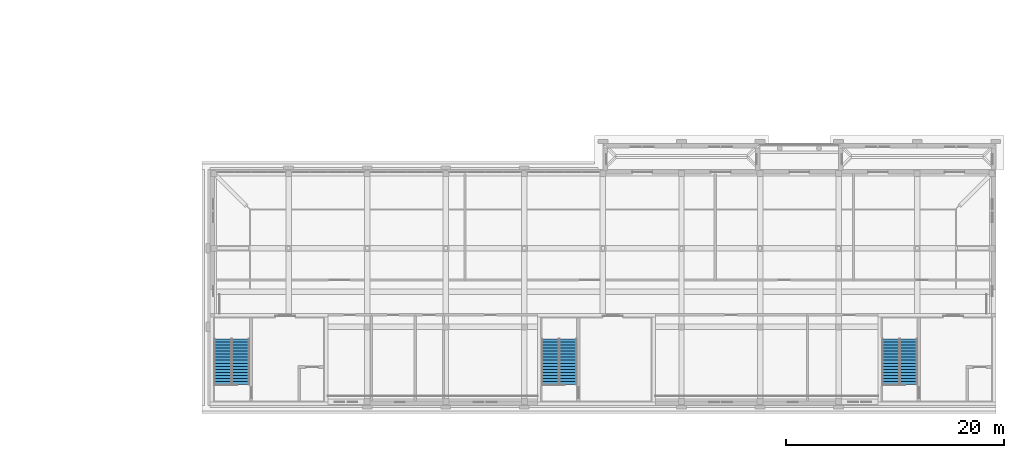
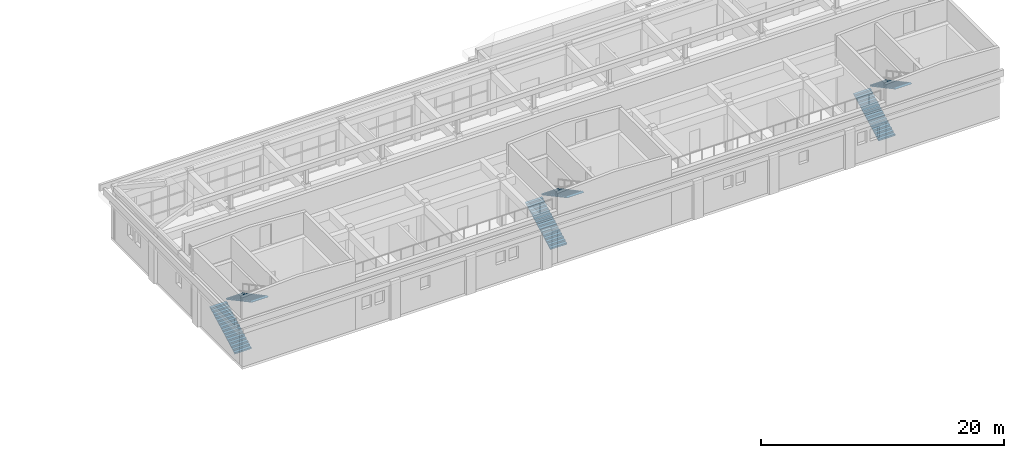
# One storey, part 45 of 48: 6 stair flights, 3 elements without a shape of their own.
"""IFC4 building model written with IfcOpenShell, lengths in metres."""

from ifc_helpers import new_model, si_unit, direction, frame, origin, place, context, subcontext, project, spatial, polyline, outline, extrude, material, type_object, element, aggregate, save


model = new_model("IFC4")

# Units and contexts
model_context = context("Model", 3, precision=1e-05, world=origin(), true_north=direction((0.0, 1.0)))
body_context = subcontext(model_context, "Body", "Model", "MODEL_VIEW")
ifc_project = project(units=[si_unit("LENGTHUNIT", "METRE"), si_unit("AREAUNIT", "SQUARE_METRE"), si_unit("VOLUMEUNIT", "CUBIC_METRE"), si_unit("PLANEANGLEUNIT", "RADIAN"), si_unit("MASSUNIT", "GRAM", prefix="KILO")], contexts=[model_context])

# Site, building, storey
site_placement = place(None, origin())
site = spatial("IfcSite", under=ifc_project, at=site_placement, CompositionType="ELEMENT")
building_placement = place(site_placement, origin())
building = spatial("IfcBuilding", under=site, at=building_placement, Name="Alderwick Market Hall", CompositionType="ELEMENT")
storey_placement = place(building_placement, frame((0.0, 0.0, 14.39990234375)))
storey = spatial("IfcBuildingStorey", under=building, at=storey_placement, Name="L02", CompositionType="ELEMENT", Elevation=14.39990234375)

# Stair, stair flights
ifc_material = material(Name="Concrete 5000 psi (f'c 35 MPa)", Category="concrete")
stair_type = type_object("IfcStairType", Name="C Exit Stair 1600", PredefinedType="HALF_TURN_STAIR", material=ifc_material)
stair_1_placement = place(storey_placement, origin())
stair_1 = element("IfcStair", 1, at=stair_1_placement, inside=storey, type_object=stair_type, Name="C.stair.L02.A", PredefinedType="HALF_TURN_STAIR")
stair_flight_type = type_object("IfcStairFlightType", Name="C Stair Flight 1600", PredefinedType="STRAIGHT", material=ifc_material)
stair_flight_1_placement = place(storey_placement, frame((159.60009765625, 9.10009765625, 0.0), z_axis=(0.0, 0.0, 1.0), x_axis=(0.0, 1.0, 0.0)))
stair_flight_1 = element("IfcStairFlight", 2, at=stair_flight_1_placement, type_object=stair_flight_type, Name="C-ST-A-L02 flight 1", NumberOfRisers=16, NumberOfTreads=15, PredefinedType="STRAIGHT", RiserHeight=0.15, TreadLength=0.28, context=body_context, shape_type="SweptSolid", body=[
    extrude(outline(polyline([(0.00830078125, -0.015625), (0.0, 0.0), (0.0, 0.14990234375), (0.280029296875, 0.14990234375), (0.280029296875, 0.300048828125), (0.56005859375, 0.300048828125), (0.56005859375, 0.449951171875), (0.840087890625, 0.449951171875), (0.840087890625, 0.60009765625), (1.1201171875, 0.60009765625), (1.1201171875, 0.75), (1.39990234375, 0.75), (1.39990234375, 0.89990234375), (1.679931640625, 0.89990234375), (1.679931640625, 1.050048828125), (1.9599609375, 1.050048828125), (1.9599609375, 1.199951171875), (2.239990234375, 1.199951171875), (2.239990234375, 1.35009765625), (2.52001953125, 1.35009765625), (2.52001953125, 1.5), (2.800048828125, 1.5), (2.800048828125, 1.64990234375), (3.080078125, 1.64990234375), (3.080078125, 1.800048828125), (3.360107421875, 1.800048828125), (3.360107421875, 1.949951171875), (3.639892578125, 1.949951171875), (3.639892578125, 2.10009765625), (3.919921875, 2.10009765625), (3.919921875, 2.25), (4.199951171875, 2.25), (4.199951171875, 2.22998046875), (0.00830078125, -0.015625)])), frame((0.0, 0.800048828125, 0.0), z_axis=(0.0, -1.0, 0.0), x_axis=(1.0, 0.0, 0.0)), (0.0, 0.0, 1.0), 1.60009765625),
])
stair_flight_2_placement = place(storey_placement, frame((161.199951171875, 13.300048828125, 2.400146484375), z_axis=(0.0, 0.0, 1.0), x_axis=(0.0, -1.0, 0.0)))
stair_flight_2 = element("IfcStairFlight", 3, at=stair_flight_2_placement, type_object=stair_flight_type, Name="C-ST-A-L02 flight 2", NumberOfRisers=16, NumberOfTreads=15, PredefinedType="STRAIGHT", RiserHeight=0.15, TreadLength=0.28, context=body_context, shape_type="SweptSolid", body=[
    extrude(outline(polyline([(0.00830078125, -0.015625), (0.0, 0.0), (0.0, 0.14990234375), (0.280029296875, 0.14990234375), (0.280029296875, 0.300048828125), (0.56005859375, 0.300048828125), (0.56005859375, 0.449951171875), (0.840087890625, 0.449951171875), (0.840087890625, 0.60009765625), (1.1201171875, 0.60009765625), (1.1201171875, 0.75), (1.39990234375, 0.75), (1.39990234375, 0.89990234375), (1.679931640625, 0.89990234375), (1.679931640625, 1.050048828125), (1.9599609375, 1.050048828125), (1.9599609375, 1.199951171875), (2.239990234375, 1.199951171875), (2.239990234375, 1.35009765625), (2.52001953125, 1.35009765625), (2.52001953125, 1.5), (2.800048828125, 1.5), (2.800048828125, 1.64990234375), (3.080078125, 1.64990234375), (3.080078125, 1.800048828125), (3.360107421875, 1.800048828125), (3.360107421875, 1.949951171875), (3.639892578125, 1.949951171875), (3.639892578125, 2.10009765625), (3.919921875, 2.10009765625), (3.919921875, 2.25), (4.199951171875, 2.25), (4.199951171875, 2.22998046875), (0.00830078125, -0.015625)])), frame((0.0, 0.800048828125, 0.0), z_axis=(0.0, -1.0, 0.0), x_axis=(1.0, 0.0, 0.0)), (0.0, 0.0, 1.0), 1.60009765625),
])
aggregate(stair_1, [stair_flight_1, stair_flight_2])

stair_2_placement = place(storey_placement, origin())
stair_2 = element("IfcStair", 4, at=stair_2_placement, inside=storey, type_object=stair_type, Name="C.stair.L02.B", PredefinedType="HALF_TURN_STAIR")
stair_flight_3_placement = place(storey_placement, frame((189.60009765625, 9.10009765625, 0.0), z_axis=(0.0, 0.0, 1.0), x_axis=(0.0, 1.0, 0.0)))
stair_flight_3 = element("IfcStairFlight", 5, at=stair_flight_3_placement, type_object=stair_flight_type, Name="C-ST-B-L02 flight 1", NumberOfRisers=16, NumberOfTreads=15, PredefinedType="STRAIGHT", RiserHeight=0.15, TreadLength=0.28, context=body_context, shape_type="SweptSolid", body=[
    extrude(outline(polyline([(0.00830078125, -0.015625), (0.0, 0.0), (0.0, 0.14990234375), (0.280029296875, 0.14990234375), (0.280029296875, 0.300048828125), (0.56005859375, 0.300048828125), (0.56005859375, 0.449951171875), (0.840087890625, 0.449951171875), (0.840087890625, 0.60009765625), (1.1201171875, 0.60009765625), (1.1201171875, 0.75), (1.39990234375, 0.75), (1.39990234375, 0.89990234375), (1.679931640625, 0.89990234375), (1.679931640625, 1.050048828125), (1.9599609375, 1.050048828125), (1.9599609375, 1.199951171875), (2.239990234375, 1.199951171875), (2.239990234375, 1.35009765625), (2.52001953125, 1.35009765625), (2.52001953125, 1.5), (2.800048828125, 1.5), (2.800048828125, 1.64990234375), (3.080078125, 1.64990234375), (3.080078125, 1.800048828125), (3.360107421875, 1.800048828125), (3.360107421875, 1.949951171875), (3.639892578125, 1.949951171875), (3.639892578125, 2.10009765625), (3.919921875, 2.10009765625), (3.919921875, 2.25), (4.199951171875, 2.25), (4.199951171875, 2.22998046875), (0.00830078125, -0.015625)])), frame((0.0, 0.800048828125, 0.0), z_axis=(0.0, -1.0, 0.0), x_axis=(1.0, 0.0, 0.0)), (0.0, 0.0, 1.0), 1.60009765625),
])
stair_flight_4_placement = place(storey_placement, frame((191.199951171875, 13.300048828125, 2.400146484375), z_axis=(0.0, 0.0, 1.0), x_axis=(0.0, -1.0, 0.0)))
stair_flight_4 = element("IfcStairFlight", 6, at=stair_flight_4_placement, type_object=stair_flight_type, Name="C-ST-B-L02 flight 2", NumberOfRisers=16, NumberOfTreads=15, PredefinedType="STRAIGHT", RiserHeight=0.15, TreadLength=0.28, context=body_context, shape_type="SweptSolid", body=[
    extrude(outline(polyline([(0.00830078125, -0.015625), (0.0, 0.0), (0.0, 0.14990234375), (0.280029296875, 0.14990234375), (0.280029296875, 0.300048828125), (0.56005859375, 0.300048828125), (0.56005859375, 0.449951171875), (0.840087890625, 0.449951171875), (0.840087890625, 0.60009765625), (1.1201171875, 0.60009765625), (1.1201171875, 0.75), (1.39990234375, 0.75), (1.39990234375, 0.89990234375), (1.679931640625, 0.89990234375), (1.679931640625, 1.050048828125), (1.9599609375, 1.050048828125), (1.9599609375, 1.199951171875), (2.239990234375, 1.199951171875), (2.239990234375, 1.35009765625), (2.52001953125, 1.35009765625), (2.52001953125, 1.5), (2.800048828125, 1.5), (2.800048828125, 1.64990234375), (3.080078125, 1.64990234375), (3.080078125, 1.800048828125), (3.360107421875, 1.800048828125), (3.360107421875, 1.949951171875), (3.639892578125, 1.949951171875), (3.639892578125, 2.10009765625), (3.919921875, 2.10009765625), (3.919921875, 2.25), (4.199951171875, 2.25), (4.199951171875, 2.22998046875), (0.00830078125, -0.015625)])), frame((0.0, 0.800048828125, 0.0), z_axis=(0.0, -1.0, 0.0), x_axis=(1.0, 0.0, 0.0)), (0.0, 0.0, 1.0), 1.60009765625),
])
aggregate(stair_2, [stair_flight_3, stair_flight_4])

stair_3_placement = place(storey_placement, origin())
stair_3 = element("IfcStair", 7, at=stair_3_placement, inside=storey, type_object=stair_type, Name="C.stair.L02.C", PredefinedType="HALF_TURN_STAIR")
stair_flight_5_placement = place(storey_placement, frame((220.800048828125, 9.10009765625, 0.0), z_axis=(0.0, 0.0, 1.0), x_axis=(0.0, 1.0, 0.0)))
stair_flight_5 = element("IfcStairFlight", 8, at=stair_flight_5_placement, type_object=stair_flight_type, Name="C-ST-C-L02 flight 1", NumberOfRisers=16, NumberOfTreads=15, PredefinedType="STRAIGHT", RiserHeight=0.15, TreadLength=0.28, context=body_context, shape_type="SweptSolid", body=[
    extrude(outline(polyline([(0.00830078125, -0.015625), (0.0, 0.0), (0.0, 0.14990234375), (0.280029296875, 0.14990234375), (0.280029296875, 0.300048828125), (0.56005859375, 0.300048828125), (0.56005859375, 0.449951171875), (0.840087890625, 0.449951171875), (0.840087890625, 0.60009765625), (1.1201171875, 0.60009765625), (1.1201171875, 0.75), (1.39990234375, 0.75), (1.39990234375, 0.89990234375), (1.679931640625, 0.89990234375), (1.679931640625, 1.050048828125), (1.9599609375, 1.050048828125), (1.9599609375, 1.199951171875), (2.239990234375, 1.199951171875), (2.239990234375, 1.35009765625), (2.52001953125, 1.35009765625), (2.52001953125, 1.5), (2.800048828125, 1.5), (2.800048828125, 1.64990234375), (3.080078125, 1.64990234375), (3.080078125, 1.800048828125), (3.360107421875, 1.800048828125), (3.360107421875, 1.949951171875), (3.639892578125, 1.949951171875), (3.639892578125, 2.10009765625), (3.919921875, 2.10009765625), (3.919921875, 2.25), (4.199951171875, 2.25), (4.199951171875, 2.22998046875), (0.00830078125, -0.015625)])), frame((0.0, 0.800048828125, 0.0), z_axis=(0.0, -1.0, 0.0), x_axis=(1.0, 0.0, 0.0)), (0.0, 0.0, 1.0), 1.60009765625),
])
stair_flight_6_placement = place(storey_placement, frame((222.39990234375, 13.300048828125, 2.400146484375), z_axis=(0.0, 0.0, 1.0), x_axis=(0.0, -1.0, 0.0)))
stair_flight_6 = element("IfcStairFlight", 9, at=stair_flight_6_placement, type_object=stair_flight_type, Name="C-ST-C-L02 flight 2", NumberOfRisers=16, NumberOfTreads=15, PredefinedType="STRAIGHT", RiserHeight=0.15, TreadLength=0.28, context=body_context, shape_type="SweptSolid", body=[
    extrude(outline(polyline([(0.00830078125, -0.015625), (0.0, 0.0), (0.0, 0.14990234375), (0.280029296875, 0.14990234375), (0.280029296875, 0.300048828125), (0.56005859375, 0.300048828125), (0.56005859375, 0.449951171875), (0.840087890625, 0.449951171875), (0.840087890625, 0.60009765625), (1.1201171875, 0.60009765625), (1.1201171875, 0.75), (1.39990234375, 0.75), (1.39990234375, 0.89990234375), (1.679931640625, 0.89990234375), (1.679931640625, 1.050048828125), (1.9599609375, 1.050048828125), (1.9599609375, 1.199951171875), (2.239990234375, 1.199951171875), (2.239990234375, 1.35009765625), (2.52001953125, 1.35009765625), (2.52001953125, 1.5), (2.800048828125, 1.5), (2.800048828125, 1.64990234375), (3.080078125, 1.64990234375), (3.080078125, 1.800048828125), (3.360107421875, 1.800048828125), (3.360107421875, 1.949951171875), (3.639892578125, 1.949951171875), (3.639892578125, 2.10009765625), (3.919921875, 2.10009765625), (3.919921875, 2.25), (4.199951171875, 2.25), (4.199951171875, 2.22998046875), (0.00830078125, -0.015625)])), frame((0.0, 0.800048828125, 0.0), z_axis=(0.0, -1.0, 0.0), x_axis=(1.0, 0.0, 0.0)), (0.0, 0.0, 1.0), 1.60009765625),
])
aggregate(stair_3, [stair_flight_5, stair_flight_6])

save(model, "model.ifc")
